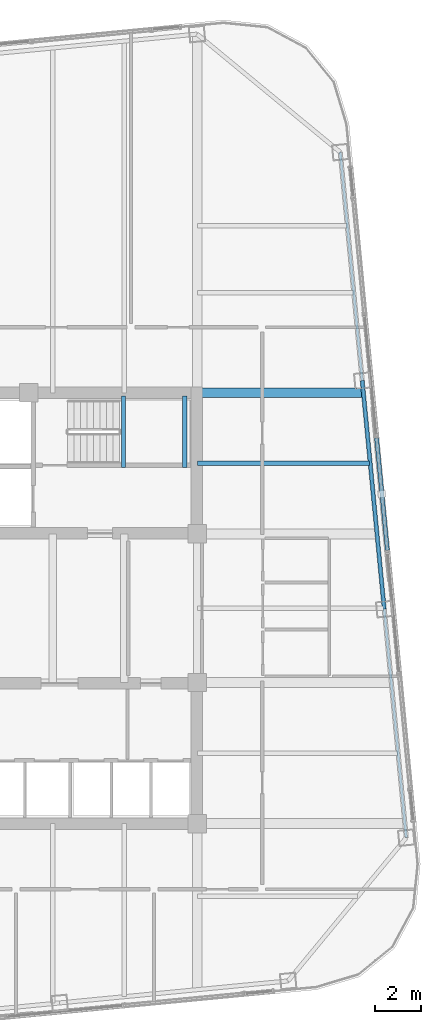
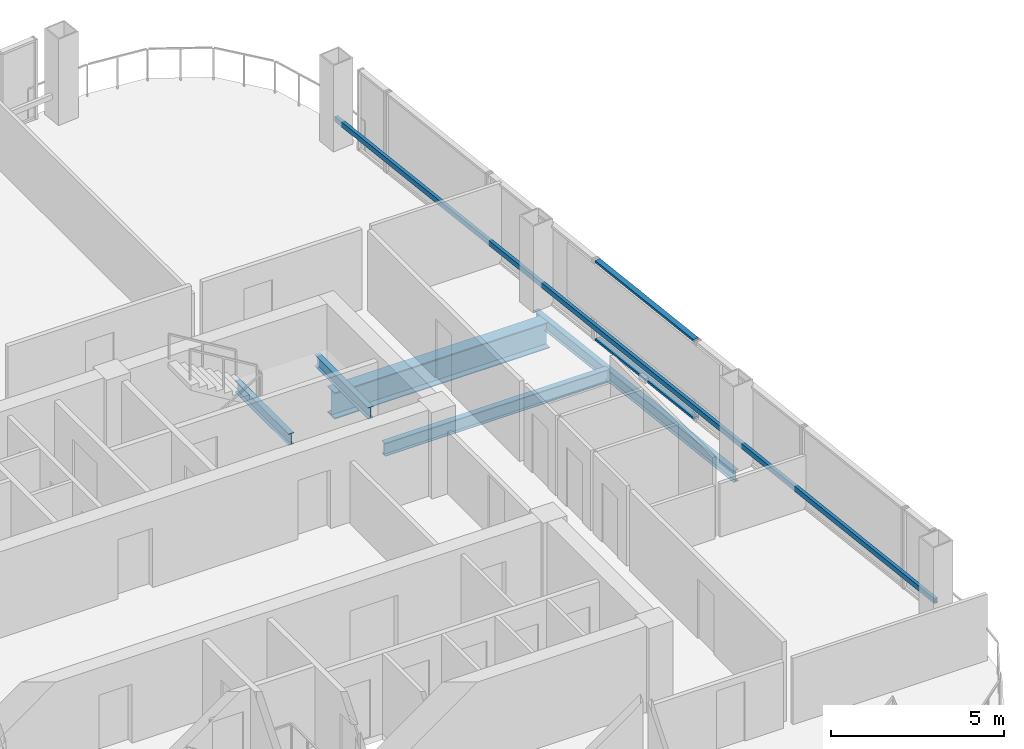
# One storey, part 15 of 29: 5 beams, 3 members, 1 element without a shape of its own.
"""IFC4 building model written with IfcOpenShell, lengths in metres."""

from ifc_helpers import new_model, si_unit, direction, frame, origin, origin_2d, place, context, subcontext, project, spatial, hollow_rectangle, i_section, extrude, material, layer, layer_set, material_profile, profile_set, type_object, element, aggregate, save


model = new_model("IFC4")

# Units and contexts
model_context = context("Model", 3, precision=1e-05, world=origin(), true_north=direction((0.0, 1.0)))
body_context = subcontext(model_context, "Body", "Model", "MODEL_VIEW")
ifc_project = project(units=[si_unit("LENGTHUNIT", "METRE"), si_unit("AREAUNIT", "SQUARE_METRE"), si_unit("VOLUMEUNIT", "CUBIC_METRE"), si_unit("PLANEANGLEUNIT", "RADIAN"), si_unit("MASSUNIT", "GRAM", prefix="KILO")], contexts=[model_context])

# Site, building, storey
site_placement = place(None, origin())
site = spatial("IfcSite", under=ifc_project, at=site_placement, CompositionType="ELEMENT")
building_placement = place(site_placement, origin())
building = spatial("IfcBuilding", under=site, at=building_placement, Name="Qhalaya Broadcast Tower", CompositionType="ELEMENT")
storey_placement = place(building_placement, frame((0.0, 0.0, 177.5)))
storey = spatial("IfcBuildingStorey", under=building, at=storey_placement, Name="L52", CompositionType="ELEMENT", Elevation=177.5)

# Beam
ifc_material_1 = material(Name="Structural Steel ASTM A992 Grade 50", Category="steel")
ifc_material_profile_1 = material_profile(ifc_material_1, i_section(OverallWidth=0.19189453125, OverallDepth=0.462890625, WebThickness=0.010498046875, FlangeThickness=0.017578125, at=origin_2d()), Name="W18X60")
ifc_profile_set_1 = profile_set([ifc_material_profile_1], Name="Structural Steel ASTM A992 Grade 50")
beam_type_1 = type_object("IfcBeamType", Name="Composite Floor Joist J03", PredefinedType="JOIST", material=ifc_profile_set_1)
beam_1_placement = place(storey_placement, frame((9.375, 6.89990234375, -0.451416015625), z_axis=(1.0, 0.0, 0.0), x_axis=(0.0, 1.0, 0.0)))
element("IfcBeam", 1, at=beam_1_placement, inside=storey, type_object=beam_type_1, Name="L52 J03 L52-JWE5E-1", PredefinedType="JOIST", context=body_context, shape_type="SweptSolid", body=[
    extrude(i_section(OverallWidth=0.19189453125, OverallDepth=0.462890625, WebThickness=0.010498046875, FlangeThickness=0.017578125, at=origin_2d()), origin(), (0.0, 0.0, 1.0), 7.48681640625),
])

# Member
ifc_material_2 = material(Name="Fired Architectural Terracotta", Category="masonry")
ifc_material_profile_2 = material_profile(ifc_material_2, hollow_rectangle(XDim=0.110107421875, YDim=0.179931640625, WallThickness=0.01806640625, at=origin_2d()), Name="TB-BAG 110x180x18")
ifc_profile_set_2 = profile_set([ifc_material_profile_2], Name="Fired Architectural Terracotta")
member_type_1 = type_object("IfcMemberType", Name="Fired Terracotta Facade Baguette Member TB1", PredefinedType="USERDEFINED", material=ifc_profile_set_2)
member_1_placement = place(storey_placement, frame((18.44775390625, -9.362060546875, 0.84912109375), z_axis=(-0.095843252659, 0.995396439073, 0.0), x_axis=(-0.995396439073, -0.095843252659, 0.0)))
element("IfcMember", 2, at=member_1_placement, inside=storey, type_object=member_type_1, Name="L52 Terracotta Baguette Feature Rail E", ObjectType="BAGUETTE", PredefinedType="USERDEFINED", context=body_context, shape_type="SweptSolid", body=[
    extrude(hollow_rectangle(XDim=0.110107421875, YDim=0.179931640625, WallThickness=0.01806640625, at=origin_2d()), origin(), (0.0, 0.0, 1.0), 29.900146484375),
])

# Beam
ifc_material_profile_3 = material_profile(ifc_material_1, i_section(OverallWidth=0.4189453125, OverallDepth=0.927001953125, WebThickness=0.019287109375, FlangeThickness=0.031982421875, at=origin_2d()), Name="W36X231")
ifc_profile_set_3 = profile_set([ifc_material_profile_3], Name="Structural Steel ASTM A992 Grade 50")
beam_type_2 = type_object("IfcBeamType", Name="Mid Block Primary Girder PG3", PredefinedType="USERDEFINED", material=ifc_profile_set_3)
beam_2_placement = place(storey_placement, frame((9.375, 9.949951171875, -0.68359375), z_axis=(1.0, 0.0, 0.0), x_axis=(0.0, 1.0, 0.0)))
element("IfcBeam", 3, at=beam_2_placement, inside=storey, type_object=beam_type_2, Name="L52 PG3 L52-PGYE4-1", ObjectType="GIRDER", PredefinedType="USERDEFINED", context=body_context, shape_type="SweptSolid", body=[
    extrude(i_section(OverallWidth=0.4189453125, OverallDepth=0.927001953125, WebThickness=0.019287109375, FlangeThickness=0.031982421875, at=origin_2d()), origin(), (0.0, 0.0, 1.0), 7.193115234375),
])

# Curtain wall, members
ifc_layer = layer(ifc_material_2, 0.219970703125, Name="Fired Architectural Terracotta")
ifc_layer_set = layer_set([ifc_layer], Name="Fired Architectural Terracotta")
curtain_wall_type = type_object("IfcCurtainWallType", Name="Block-Cap Unitised Terracotta Spandrel Wall CW-07", PredefinedType="NOTDEFINED", material=ifc_layer_set)
curtain_wall_placement = place(storey_placement, origin())
curtain_wall = element("IfcCurtainWall", 4, at=curtain_wall_placement, inside=storey, type_object=curtain_wall_type, Name="L52 Unitised Curtain Wall L52-CW-E4", PredefinedType="NOTDEFINED")
ifc_material_3 = material(Name="Anodised Aluminium 6063-T6", Category="aluminium")
ifc_material_profile_4 = material_profile(ifc_material_3, hollow_rectangle(XDim=0.074951171875, YDim=0.179931640625, WallThickness=0.00390625, at=origin_2d()), Name="ALU-TRN 75x180x4")
ifc_profile_set_4 = profile_set([ifc_material_profile_4], Name="Anodised Aluminium 6063-T6")
member_type_2 = type_object("IfcMemberType", Name="Unitised Curtain-Wall Transom T01", PredefinedType="USERDEFINED", material=ifc_profile_set_4)
member_2_placement = place(storey_placement, frame((17.62841796875, 3.114013671875, 0.03759765625), z_axis=(-0.0958470571, 0.99539607275, 0.0), x_axis=(0.0, 0.0, 1.0)))
member_2 = element("IfcMember", 5, at=member_2_placement, type_object=member_type_2, Name="CW-07 transom 1.1", ObjectType="TRANSOM", PredefinedType="USERDEFINED", context=body_context, shape_type="SweptSolid", body=[
    extrude(hollow_rectangle(XDim=0.074951171875, YDim=0.179931640625, WallThickness=0.00390625, at=origin_2d()), origin(), (0.0, 0.0, 1.0), 4.906005859375),
])
member_3_placement = place(storey_placement, frame((17.62841796875, 3.114013671875, 2.79248046875), z_axis=(-0.0958470571, 0.99539607275, 0.0), x_axis=(0.0, 0.0, 1.0)))
member_3 = element("IfcMember", 6, at=member_3_placement, type_object=member_type_2, Name="CW-07 transom 1.2", ObjectType="TRANSOM", PredefinedType="USERDEFINED", context=body_context, shape_type="SweptSolid", body=[
    extrude(hollow_rectangle(XDim=0.074951171875, YDim=0.179931640625, WallThickness=0.00390625, at=origin_2d()), origin(), (0.0, 0.0, 1.0), 4.906005859375),
])
aggregate(curtain_wall, [member_2, member_3])

# Beams
ifc_material_profile_5 = material_profile(ifc_material_1, i_section(OverallWidth=0.177978515625, OverallDepth=0.406005859375, WebThickness=0.0078125, FlangeThickness=0.0126953125, at=origin_2d()), Name="W16X40")
ifc_profile_set_5 = profile_set([ifc_material_profile_5], Name="Structural Steel ASTM A992 Grade 50")
beam_type_3 = type_object("IfcBeamType", Name="Upper Perimeter Spandrel Beam SP2", PredefinedType="SPANDREL", material=ifc_profile_set_5)
beam_3_placement = place(storey_placement, frame((17.49267578125, 0.558837890625, -0.423095703125), z_axis=(-0.095852900965, 0.995395510024, 0.0), x_axis=(-0.995395510024, -0.095852900965, 0.0)))
element("IfcBeam", 7, at=beam_3_placement, inside=storey, type_object=beam_type_3, Name="L52 SP2 L52-SPR-06", PredefinedType="SPANDREL", context=body_context, shape_type="SweptSolid", body=[
    extrude(i_section(OverallWidth=0.177978515625, OverallDepth=0.406005859375, WebThickness=0.0078125, FlangeThickness=0.0126953125, at=origin_2d()), origin(), (0.0, 0.0, 1.0), 9.966552734375),
])
for number, where, z_axis, x_axis, name in (
    (8, (6.175048828125, 6.699951171875, 1.1220703125), (0.0, 1.0, 0.0), (-1.0, 0.0, 0.0), "L52 ST-1 Half-Landing Bearer Beam 1"),
    (9, (8.830078125, 6.699951171875, 1.1220703125), (0.0, 1.0, 0.0), (-1.0, 0.0, 0.0), "L52 ST-1 Half-Landing Bearer Beam 2"),
):
    element("IfcBeam", number, at=place(storey_placement, frame(where, z_axis=z_axis, x_axis=x_axis)), inside=storey, type_object=beam_type_3, Name=name, PredefinedType="SPANDREL", context=body_context, shape_type="SweptSolid", body=[
        extrude(i_section(OverallWidth=0.177978515625, OverallDepth=0.406005859375, WebThickness=0.0078125, FlangeThickness=0.0126953125, at=origin_2d()), origin(), (0.0, 0.0, 1.0), 3.1201171875),
    ])

save(model, "model.ifc")
